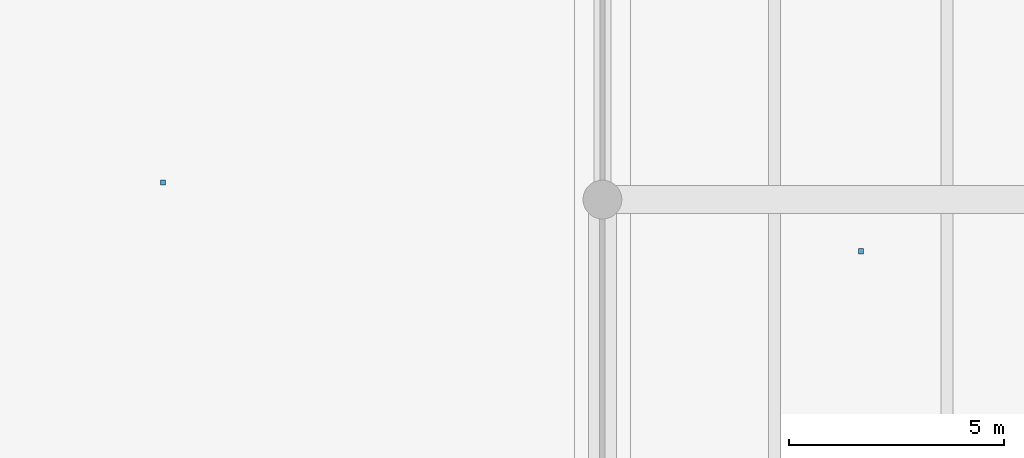
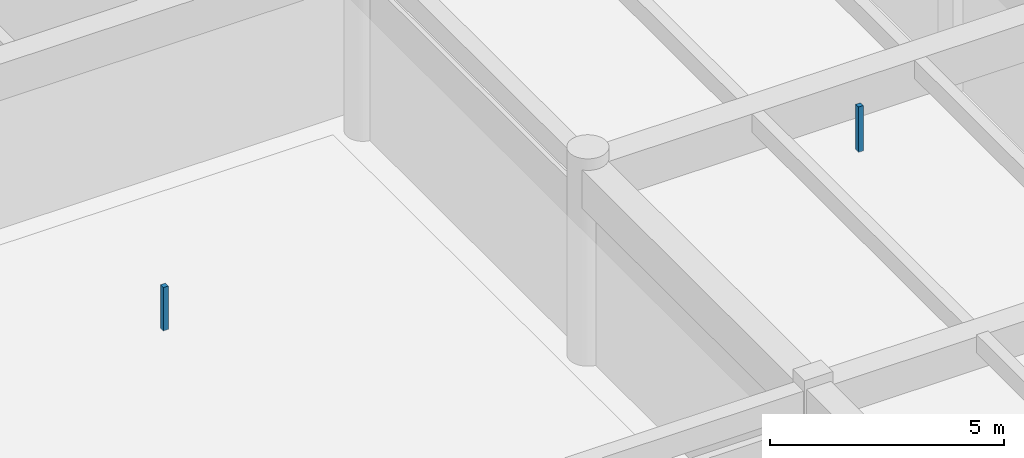
# One storey, part 122 of 138: 2 discrete accessories.
"""IFC4 building model written with IfcOpenShell, lengths in metres."""

from ifc_helpers import new_model, si_unit, direction, frame, origin, origin_2d, place, context, subcontext, project, spatial, rectangle, extrude, material, type_object, element, save


model = new_model("IFC4")

# Units and contexts
model_context = context("Model", 3, precision=1e-05, world=origin(), true_north=direction((0.0, 1.0)))
body_context = subcontext(model_context, "Body", "Model", "MODEL_VIEW")
ifc_project = project(units=[si_unit("LENGTHUNIT", "METRE"), si_unit("AREAUNIT", "SQUARE_METRE"), si_unit("VOLUMEUNIT", "CUBIC_METRE"), si_unit("PLANEANGLEUNIT", "RADIAN"), si_unit("MASSUNIT", "GRAM", prefix="KILO")], contexts=[model_context])

# Site, building, storey
site_placement = place(None, origin())
site = spatial("IfcSite", under=ifc_project, at=site_placement, CompositionType="ELEMENT")
building_placement = place(site_placement, origin())
building = spatial("IfcBuilding", under=site, at=building_placement, Name="Fikremerkos Civic Library", CompositionType="ELEMENT")
storey_placement = place(building_placement, origin())
storey = spatial("IfcBuildingStorey", under=building, at=storey_placement, Name="L00", CompositionType="ELEMENT", Elevation=0.0)

# Discrete accessories
ifc_material = material(Name="Galvanized Steel S275", Category="steel")
discrete_accessory_type = type_object("IfcDiscreteAccessoryType", Name="Ceiling hanger bracket BRK-01", PredefinedType="BRACKET", material=ifc_material)
discrete_accessory_1_placement = place(storey_placement, frame((149.800048828125, 22.0, 3.989990234375), z_axis=(0.0, 0.0, 1.0), x_axis=(1.0, 0.0, 0.0)))
element("IfcDiscreteAccessory", 1, at=discrete_accessory_1_placement, inside=storey, type_object=discrete_accessory_type, Name="Acoustic ceiling hanger bracket #27", PredefinedType="BRACKET", context=body_context, shape_type="SweptSolid", body=[
    extrude(rectangle(XDim=0.1201171875, YDim=0.1201171875, at=origin_2d()), origin(), (0.0, 0.0, 1.0), 1.1298828125),
])
discrete_accessory_2_placement = place(storey_placement, frame((166.0, 20.39990234375, 3.93994140625), z_axis=(0.0, 0.0, 1.0), x_axis=(1.0, 0.0, 0.0)))
element("IfcDiscreteAccessory", 2, at=discrete_accessory_2_placement, inside=storey, type_object=discrete_accessory_type, Name="Acoustic ceiling hanger bracket #28", PredefinedType="BRACKET", context=body_context, shape_type="SweptSolid", body=[
    extrude(rectangle(XDim=0.1201171875, YDim=0.1201171875, at=origin_2d()), origin(), (0.0, 0.0, 1.0), 1.179931640625),
])

save(model, "model.ifc")
